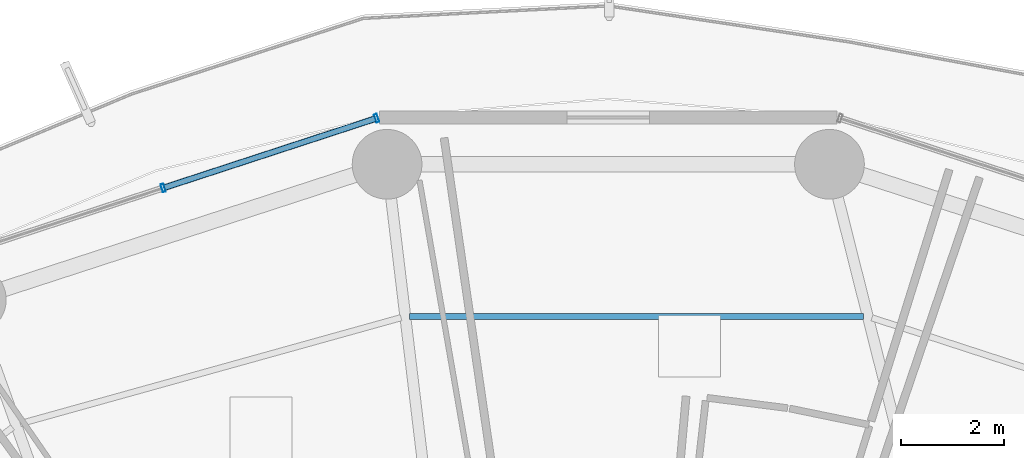
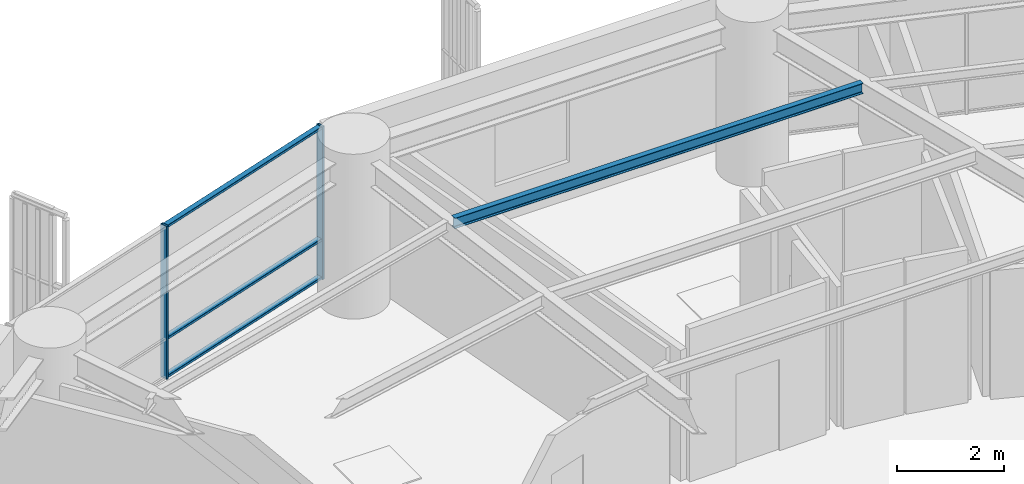
# One storey, part 21 of 35: 5 members, 1 beam, 1 element without a shape of its own.
"""IFC4 building model written with IfcOpenShell, lengths in metres."""

from ifc_helpers import new_model, si_unit, direction, frame, origin, origin_2d, place, context, subcontext, project, spatial, hollow_rectangle, i_section, extrude, material, layer, layer_set, material_profile, profile_set, type_object, element, aggregate, save


model = new_model("IFC4")

# Units and contexts
model_context = context("Model", 3, precision=1e-05, world=origin(), true_north=direction((0.0, 1.0)))
body_context = subcontext(model_context, "Body", "Model", "MODEL_VIEW")
ifc_project = project(units=[si_unit("LENGTHUNIT", "METRE"), si_unit("AREAUNIT", "SQUARE_METRE"), si_unit("VOLUMEUNIT", "CUBIC_METRE"), si_unit("PLANEANGLEUNIT", "RADIAN"), si_unit("MASSUNIT", "GRAM", prefix="KILO")], contexts=[model_context])

# Site, building, storey
site_placement = place(None, origin())
site = spatial("IfcSite", under=ifc_project, at=site_placement, CompositionType="ELEMENT")
building_placement = place(site_placement, origin())
building = spatial("IfcBuilding", under=site, at=building_placement, Name="Kelanora Arch Commons", CompositionType="ELEMENT")
storey_placement = place(building_placement, frame((0.0, 0.0, 91.35009765625)))
storey = spatial("IfcBuildingStorey", under=building, at=storey_placement, Name="L23", CompositionType="ELEMENT", Elevation=91.35009765625)

# Beam
ifc_material_1 = material(Name="Steel S355", Category="steel")
ifc_material_profile_1 = material_profile(ifc_material_1, i_section(OverallWidth=0.1201171875, OverallDepth=0.239990234375, WebThickness=0.006103515625, FlangeThickness=0.009765625, FilletRadius=0.014892578125, at=origin_2d()), Name="IPE240")
ifc_profile_set_1 = profile_set([ifc_material_profile_1], Name="Steel S355")
beam_type = type_object("IfcBeamType", Name="BM-JST-02", PredefinedType="JOIST", material=ifc_profile_set_1)
beam_placement = place(storey_placement, frame((78.943603515625, 76.795654296875, 3.369873046875), z_axis=(-1.0, 0.0, 0.0), x_axis=(0.0, -1.0, 0.0)))
element("IfcBeam", 1, at=beam_placement, inside=storey, type_object=beam_type, Name="Secondary Chord Joist BJC-08 L23", PredefinedType="JOIST", context=body_context, shape_type="SweptSolid", body=[
    extrude(i_section(OverallWidth=0.1201171875, OverallDepth=0.239990234375, WebThickness=0.006103515625, FlangeThickness=0.009765625, FilletRadius=0.014892578125, at=origin_2d()), origin(), (0.0, 0.0, 1.0), 8.791015625),
])

# Curtain wall, members
ifc_material_2 = material(Name="Terracotta ceramic-fritted low-E glass and aluminium", Category="masonry")
ifc_layer = layer(ifc_material_2, 0.159912109375)
ifc_layer_set = layer_set([ifc_layer], Name="Terracotta ceramic-fritted low-E glass and aluminium")
curtain_wall_type = type_object("IfcCurtainWallType", Name="CW-SYS-01", PredefinedType="NOTDEFINED", material=ifc_layer_set)
curtain_wall_placement = place(storey_placement, origin())
curtain_wall = element("IfcCurtainWall", 2, at=curtain_wall_placement, inside=storey, type_object=curtain_wall_type, Name="Unitised Curtain Wall L23-B05", PredefinedType="NOTDEFINED")
ifc_material_3 = material(Name="Powder-coated aluminium terracotta", Category="masonry")
ifc_material_profile_2 = material_profile(ifc_material_3, hollow_rectangle(XDim=0.159912109375, YDim=0.06005859375, WallThickness=0.0048828125, InnerFilletRadius=0.0048828125, OuterFilletRadius=0.010009765625, at=origin_2d()), Name="CWM160x60")
ifc_profile_set_2 = profile_set([ifc_material_profile_2], Name="Powder-coated aluminium terracotta")
member_type_1 = type_object("IfcMemberType", Name="CWM-STD", PredefinedType="MULLION", material=ifc_profile_set_2)
member_1_placement = place(storey_placement, frame((69.51171875, 80.636474609375, 0.0), z_axis=(0.0, 0.0, 1.0), x_axis=(0.31080470294, -0.950473795867, 0.0)))
member_1 = element("IfcMember", 3, at=member_1_placement, type_object=member_type_1, Name="CW-01 mullion 1", PredefinedType="MULLION", context=body_context, shape_type="SweptSolid", body=[
    extrude(hollow_rectangle(XDim=0.159912109375, YDim=0.06005859375, WallThickness=0.0048828125, InnerFilletRadius=0.0048828125, OuterFilletRadius=0.010009765625, at=origin_2d()), origin(), (0.0, 0.0, 1.0), 3.474853515625),
])
member_2_placement = place(storey_placement, frame((65.377197265625, 79.28466796875, 0.0), z_axis=(0.0, 0.0, 1.0), x_axis=(0.31080470294, -0.950473795867, 0.0)))
member_2 = element("IfcMember", 4, at=member_2_placement, type_object=member_type_1, Name="CW-01 mullion 2", PredefinedType="MULLION", context=body_context, shape_type="SweptSolid", body=[
    extrude(hollow_rectangle(XDim=0.159912109375, YDim=0.06005859375, WallThickness=0.0048828125, InnerFilletRadius=0.0048828125, OuterFilletRadius=0.010009765625, at=origin_2d()), origin(), (0.0, 0.0, 1.0), 3.474853515625),
])
ifc_material_profile_3 = material_profile(ifc_material_3, hollow_rectangle(XDim=0.1201171875, YDim=0.06005859375, WallThickness=0.0048828125, InnerFilletRadius=0.0048828125, OuterFilletRadius=0.010009765625, at=origin_2d()), Name="CWT120x60")
ifc_profile_set_3 = profile_set([ifc_material_profile_3], Name="Powder-coated aluminium terracotta")
member_type_2 = type_object("IfcMemberType", Name="CWT-STD", PredefinedType="USERDEFINED", material=ifc_profile_set_3)
member_3_placement = place(storey_placement, frame((69.483154296875, 80.627197265625, 0.02978515625), z_axis=(-0.950477544745, -0.31079323824, 0.0), x_axis=(0.31079323824, -0.950477544745, 0.0)))
member_3 = element("IfcMember", 5, at=member_3_placement, type_object=member_type_2, Name="CW-01 transom 1.1", ObjectType="TRANSOM", PredefinedType="USERDEFINED", context=body_context, shape_type="SweptSolid", body=[
    extrude(hollow_rectangle(XDim=0.1201171875, YDim=0.06005859375, WallThickness=0.0048828125, InnerFilletRadius=0.0048828125, OuterFilletRadius=0.010009765625, at=origin_2d()), origin(), (0.0, 0.0, 1.0), 4.289794921875),
])
member_4_placement = place(storey_placement, frame((69.483154296875, 80.627197265625, 0.89990234375), z_axis=(-0.950477544745, -0.31079323824, 0.0), x_axis=(0.31079323824, -0.950477544745, 0.0)))
member_4 = element("IfcMember", 6, at=member_4_placement, type_object=member_type_2, Name="CW-01 transom 1.2", ObjectType="TRANSOM", PredefinedType="USERDEFINED", context=body_context, shape_type="SweptSolid", body=[
    extrude(hollow_rectangle(XDim=0.1201171875, YDim=0.06005859375, WallThickness=0.0048828125, InnerFilletRadius=0.0048828125, OuterFilletRadius=0.010009765625, at=origin_2d()), origin(), (0.0, 0.0, 1.0), 4.289794921875),
])
member_5_placement = place(storey_placement, frame((69.483154296875, 80.627197265625, 3.44482421875), z_axis=(-0.950477544745, -0.31079323824, 0.0), x_axis=(0.31079323824, -0.950477544745, 0.0)))
member_5 = element("IfcMember", 7, at=member_5_placement, type_object=member_type_2, Name="CW-01 transom 1.3", ObjectType="TRANSOM", PredefinedType="USERDEFINED", context=body_context, shape_type="SweptSolid", body=[
    extrude(hollow_rectangle(XDim=0.1201171875, YDim=0.06005859375, WallThickness=0.0048828125, InnerFilletRadius=0.0048828125, OuterFilletRadius=0.010009765625, at=origin_2d()), origin(), (0.0, 0.0, 1.0), 4.289794921875),
])
aggregate(curtain_wall, [member_1, member_2, member_3, member_4, member_5])

save(model, "model.ifc")
